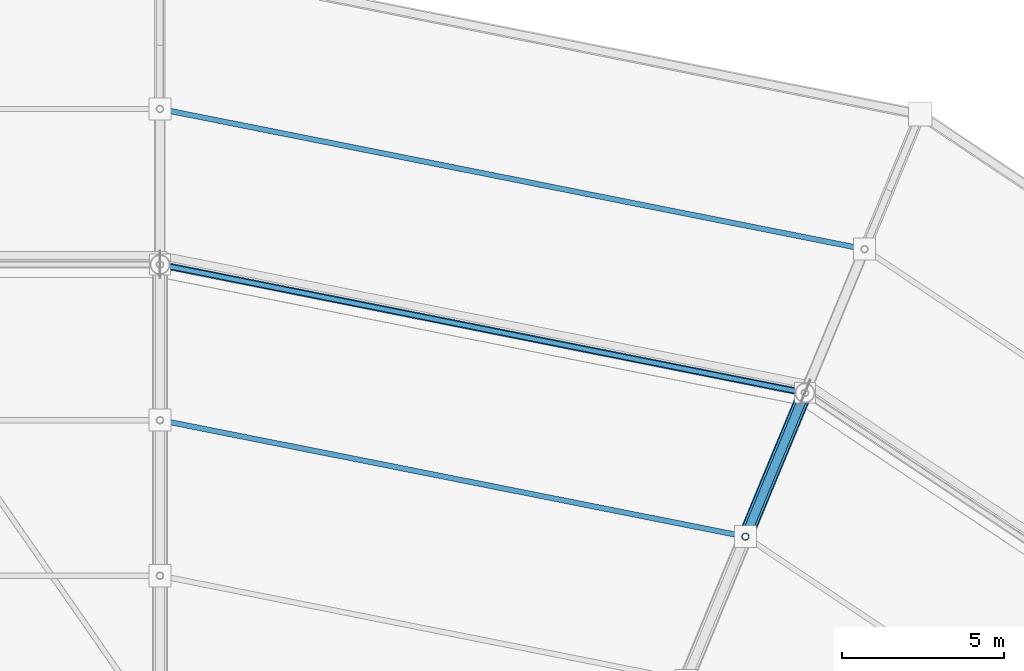
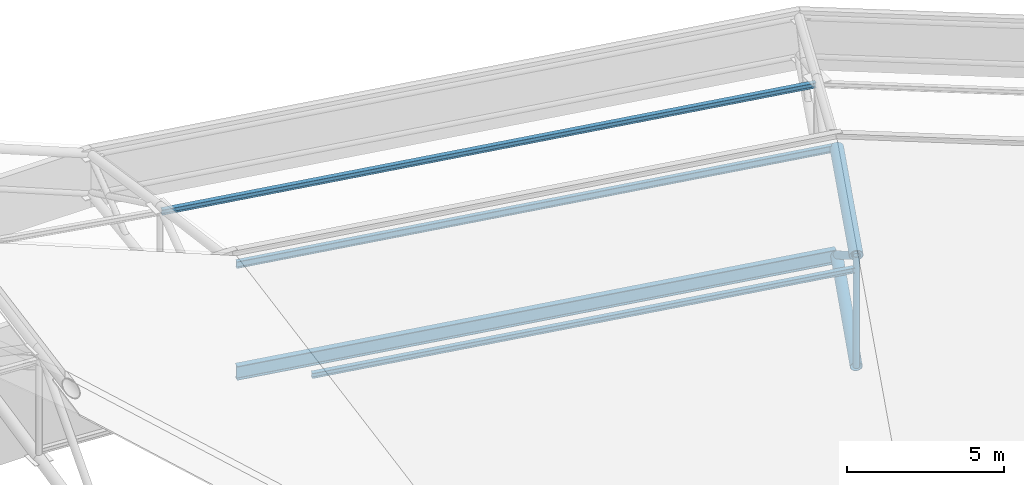
# One storey, part 98 of 146: 6 members, 2 beams.
"""IFC4 building model written with IfcOpenShell, lengths in metres."""

from ifc_helpers import new_model, si_unit, direction, frame, origin, origin_2d, place, context, subcontext, project, spatial, hollow_circle, i_section, extrude, material, material_profile, profile_set, type_object, element, save


model = new_model("IFC4")

# Units and contexts
model_context = context("Model", 3, precision=1e-05, world=origin(), true_north=direction((0.0, 1.0)))
body_context = subcontext(model_context, "Body", "Model", "MODEL_VIEW")
ifc_project = project(units=[si_unit("LENGTHUNIT", "METRE"), si_unit("AREAUNIT", "SQUARE_METRE"), si_unit("VOLUMEUNIT", "CUBIC_METRE"), si_unit("PLANEANGLEUNIT", "RADIAN"), si_unit("MASSUNIT", "GRAM", prefix="KILO")], contexts=[model_context])

# Site, building, storey
site_placement = place(None, origin())
site = spatial("IfcSite", under=ifc_project, at=site_placement, CompositionType="ELEMENT")
building_placement = place(site_placement, origin())
building = spatial("IfcBuilding", under=site, at=building_placement, Name="Candeia Ridge Stadium", CompositionType="ELEMENT")
storey_placement = place(building_placement, frame((0.0, 0.0, 31.800048828125)))
storey = spatial("IfcBuildingStorey", under=building, at=storey_placement, Name="RF", CompositionType="ELEMENT", Elevation=31.800048828125)

# Beams
ifc_material = material(Name="Steel ASTM A572 Grade 50", Category="steel")
ifc_material_profile_1 = material_profile(ifc_material, i_section(OverallWidth=0.14794921875, OverallDepth=0.26611328125, WebThickness=0.007568359375, FlangeThickness=0.012939453125, FilletRadius=0.010986328125, at=origin_2d()), Name="W250x44.8", Category="steel")
ifc_profile_set_1 = profile_set([ifc_material_profile_1], Name="Steel ASTM A572 Grade 50")
beam_type_1 = type_object("IfcBeamType", Name="Canopy Edge Spandrel W250x44.8", PredefinedType="SPANDREL", material=ifc_profile_set_1)
beam_1_placement = place(storey_placement, frame((160.8603515625, 143.049560546875, 4.599853515625), z_axis=(-0.980785507788, 0.195089178874, 0.0), x_axis=(-0.195089178874, -0.980785507788, 0.0)))
element("IfcBeam", 1, at=beam_1_placement, inside=storey, type_object=beam_type_1, Name="Roof crown cap ring beam bay 36", PredefinedType="SPANDREL", context=body_context, shape_type="SweptSolid", body=[
    extrude(i_section(OverallWidth=0.14794921875, OverallDepth=0.26611328125, WebThickness=0.007568359375, FlangeThickness=0.012939453125, FilletRadius=0.010986328125, at=origin_2d()), origin(), (0.0, 0.0, 1.0), 20.20947265625),
])
ifc_material_profile_2 = material_profile(ifc_material, i_section(OverallWidth=0.2119140625, OverallDepth=0.5439453125, WebThickness=0.01318359375, FlangeThickness=0.021240234375, FilletRadius=0.013916015625, at=origin_2d()), Name="W530x123", Category="steel")
ifc_profile_set_2 = profile_set([ifc_material_profile_2], Name="Steel ASTM A572 Grade 50")
beam_type_2 = type_object("IfcBeamType", Name="Roof Perimeter Ring Beam W530x123", PredefinedType="BEAM", material=ifc_profile_set_2)
beam_2_placement = place(storey_placement, frame((160.8603515625, 143.049560546875, 0.39990234375), z_axis=(-0.980785507788, 0.195089178874, 0.0), x_axis=(-0.195089178874, -0.980785507788, 0.0)))
element("IfcBeam", 2, at=beam_2_placement, inside=storey, type_object=beam_type_2, Name="Roof perimeter ring beam bay 36", PredefinedType="BEAM", context=body_context, shape_type="SweptSolid", body=[
    extrude(i_section(OverallWidth=0.2119140625, OverallDepth=0.5439453125, WebThickness=0.01318359375, FlangeThickness=0.021240234375, FilletRadius=0.013916015625, at=origin_2d()), origin(), (0.0, 0.0, 1.0), 20.20947265625),
])

# Members
ifc_material_profile_3 = material_profile(ifc_material, i_section(OverallWidth=0.1650390625, OverallDepth=0.200927734375, WebThickness=0.006103515625, FlangeThickness=0.01025390625, FilletRadius=0.010009765625, at=origin_2d()), Name="W200x35.9", Category="steel")
ifc_profile_set_3 = profile_set([ifc_material_profile_3], Name="Steel ASTM A572 Grade 50")
member_type_1 = type_object("IfcMemberType", Name="Roof Purlin W200x35.9", PredefinedType="PURLIN", material=ifc_profile_set_3)
member_1_placement = place(storey_placement, frame((159.013671875, 138.616943359375, 3.19189453125), z_axis=(-0.980786730857, 0.19508302995, 0.0), x_axis=(-0.19508302995, -0.980786730857, 0.0)))
element("IfcMember", 3, at=member_1_placement, inside=storey, type_object=member_type_1, Name="Saddle roof steel purlin bay 36-4", PredefinedType="PURLIN", context=body_context, shape_type="SweptSolid", body=[
    extrude(i_section(OverallWidth=0.1650390625, OverallDepth=0.200927734375, WebThickness=0.006103515625, FlangeThickness=0.01025390625, FilletRadius=0.010009765625, at=origin_2d()), origin(), (0.0, 0.0, 1.0), 18.31640625),
])
member_2_placement = place(storey_placement, frame((162.6875, 147.486083984375, 3.73828125), z_axis=(-0.980784861231, 0.195092429325, 0.0), x_axis=(-0.195092429325, -0.980784861231, 0.0)))
element("IfcMember", 4, at=member_2_placement, inside=storey, type_object=member_type_1, Name="Saddle roof steel purlin bay 36-5", PredefinedType="PURLIN", context=body_context, shape_type="SweptSolid", body=[
    extrude(i_section(OverallWidth=0.1650390625, OverallDepth=0.200927734375, WebThickness=0.006103515625, FlangeThickness=0.01025390625, FilletRadius=0.010009765625, at=origin_2d()), origin(), (0.0, 0.0, 1.0), 22.062255859375),
])
ifc_material_profile_4 = material_profile(ifc_material, hollow_circle(Radius=0.136474609375, WallThickness=0.010009765625, at=origin_2d()), Name="CHS273x10", Category="steel")
ifc_profile_set_4 = profile_set([ifc_material_profile_4], Name="Steel ASTM A572 Grade 50")
member_type_2 = type_object("IfcMemberType", Name="Roof Truss Heavy Web Brace CHS273x10", PredefinedType="BRACE", material=ifc_profile_set_4)
member_3_placement = place(storey_placement, frame((159.062744140625, 138.607177734375, 3.7119140625), z_axis=(0.314986065103, 0.760420904644, -0.567929420414), x_axis=(-0.923875488976, 0.382693194178, 0.0)))
element("IfcMember", 5, at=member_3_placement, inside=storey, type_object=member_type_2, Name="Roof cantilever truss RT-36 diagonal web 6", PredefinedType="BRACE", context=body_context, shape_type="SweptSolid", body=[
    extrude(hollow_circle(Radius=0.136474609375, WallThickness=0.010009765625, at=origin_2d()), origin(), (0.0, 0.0, 1.0), 5.831787109375),
])
ifc_material_profile_5 = material_profile(ifc_material, hollow_circle(Radius=0.109619140625, WallThickness=0.010009765625, at=origin_2d()), Name="CHS219x10", Category="steel")
ifc_profile_set_5 = profile_set([ifc_material_profile_5], Name="Steel ASTM A572 Grade 50")
member_type_3 = type_object("IfcMemberType", Name="Roof Truss Inner Web Brace CHS219x10", PredefinedType="BRACE", material=ifc_profile_set_5)
member_4_placement = place(storey_placement, frame((159.062744140625, 138.607177734375, -0.621337890625), z_axis=(0.0, 0.0, 1.0), x_axis=(1.0, 0.0, 0.0)))
element("IfcMember", 6, at=member_4_placement, inside=storey, type_object=member_type_3, Name="Roof cantilever truss RT-36 vertical post 5", PredefinedType="BRACE", context=body_context, shape_type="SweptSolid", body=[
    extrude(hollow_circle(Radius=0.109619140625, WallThickness=0.010009765625, at=origin_2d()), origin(), (0.0, 0.0, 1.0), 4.333251953125),
])
ifc_material_profile_6 = material_profile(ifc_material, hollow_circle(Radius=0.228515625, WallThickness=0.02001953125, at=origin_2d()), Name="CHS457x20", Category="steel")
ifc_profile_set_6 = profile_set([ifc_material_profile_6], Name="Steel ASTM A572 Grade 50")
member_type_4 = type_object("IfcMemberType", Name="Roof Truss Main Chord CHS457x20", PredefinedType="CHORD", material=ifc_profile_set_6)
member_5_placement = place(storey_placement, frame((159.062744140625, 138.607177734375, 3.7119140625), z_axis=(0.376308561394, 0.908462082556, 0.181902477112), x_axis=(-0.923875488976, 0.382693194178, 0.0)))
element("IfcMember", 7, at=member_5_placement, inside=storey, type_object=member_type_4, Name="Roof cantilever truss RT-36 top chord 6", PredefinedType="CHORD", context=body_context, shape_type="SweptSolid", body=[
    extrude(hollow_circle(Radius=0.228515625, WallThickness=0.02001953125, at=origin_2d()), origin(), (0.0, 0.0, 1.0), 4.88134765625),
])
ifc_material_profile_7 = material_profile(ifc_material, hollow_circle(Radius=0.202880859375, WallThickness=0.01611328125, at=origin_2d()), Name="CHS406x16", Category="steel")
ifc_profile_set_7 = profile_set([ifc_material_profile_7], Name="Steel ASTM A572 Grade 50")
member_type_5 = type_object("IfcMemberType", Name="Roof Truss Outer Chord CHS406x16", PredefinedType="CHORD", material=ifc_profile_set_7)
member_6_placement = place(storey_placement, frame((159.062744140625, 138.607177734375, -0.621337890625), z_axis=(0.374314942278, 0.903649204085, 0.208101994092), x_axis=(-0.923875488976, 0.382693194178, 0.0)))
element("IfcMember", 8, at=member_6_placement, inside=storey, type_object=member_type_5, Name="Roof cantilever truss RT-36 bottom chord 6", PredefinedType="CHORD", context=body_context, shape_type="SweptSolid", body=[
    extrude(hollow_circle(Radius=0.202880859375, WallThickness=0.01611328125, at=origin_2d()), origin(), (0.0, 0.0, 1.0), 4.907470703125),
])

save(model, "model.ifc")
